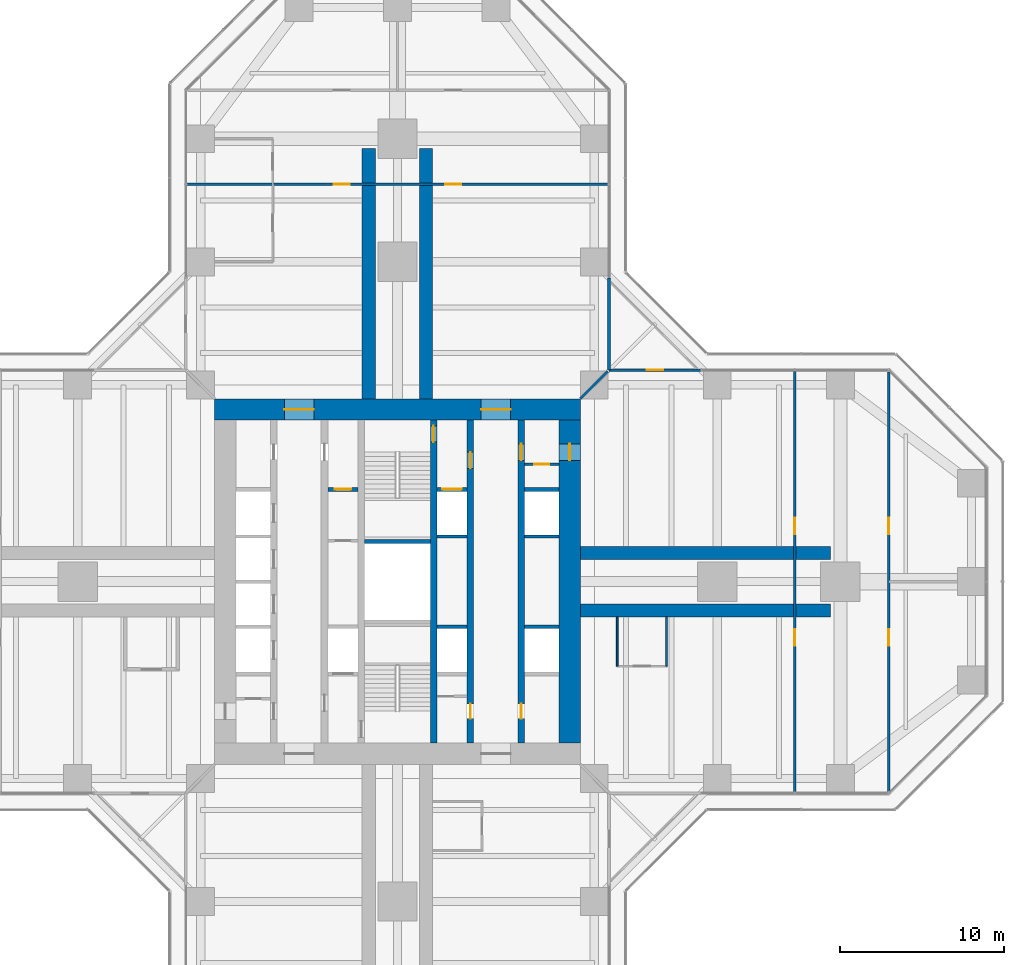
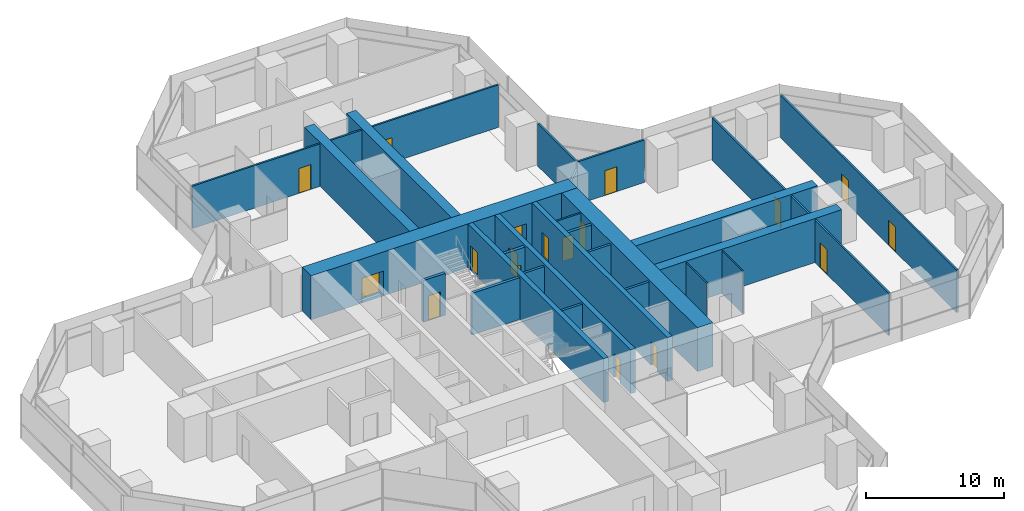
# One storey, part 19 of 22: 26 walls, 18 doors, 18 openings.
"""IFC4 building model written with IfcOpenShell, lengths in metres."""

from ifc_helpers import new_model, si_unit, direction, frame, frame_2d, origin, place, context, subcontext, project, spatial, rectangle, extrude, material, layer, layer_set, type_object, element, fill, save


model = new_model("IFC4")

# Units and contexts
model_context = context("Model", 3, precision=1e-05, world=origin(), true_north=direction((0.0, 1.0)))
body_context = subcontext(model_context, "Body", "Model", "MODEL_VIEW")
ifc_project = project(units=[si_unit("LENGTHUNIT", "METRE"), si_unit("AREAUNIT", "SQUARE_METRE"), si_unit("VOLUMEUNIT", "CUBIC_METRE"), si_unit("PLANEANGLEUNIT", "RADIAN"), si_unit("MASSUNIT", "GRAM", prefix="KILO")], contexts=[model_context])

# Site, building, storey
site_placement = place(None, origin())
site = spatial("IfcSite", under=ifc_project, at=site_placement, CompositionType="ELEMENT")
building_placement = place(site_placement, origin())
building = spatial("IfcBuilding", under=site, at=building_placement, Name="Mizan Broadcast Tower", CompositionType="ELEMENT")
storey_placement = place(building_placement, frame((0.0, 0.0, 102.0)))
storey = spatial("IfcBuildingStorey", under=building, at=storey_placement, Name="L22", CompositionType="ELEMENT", Elevation=102.0)

# Wall, openings, doors
ifc_material_1 = material(Name="Concrete C70/85", Category="concrete")
ifc_layer_1 = layer(ifc_material_1, 0.39990234375)
ifc_layer_set_1 = layer_set([ifc_layer_1], Name="Concrete C70/85")
wall_type_1 = type_object("IfcWallType", Name="CORE INTERNAL WALL 400", PredefinedType="SHEAR", material=ifc_layer_set_1)
wall_1_placement = place(storey_placement, frame((7.550048828125, 9.85009765625, 0.0), z_axis=(0.0, 0.0, 1.0), x_axis=(0.0, -1.0, 0.0)))
wall_1 = element("IfcWall", 1, at=wall_1_placement, inside=storey, type_object=wall_type_1, Name="Core wall CORE/XW1E", PredefinedType="SHEAR", context=body_context, shape_type="SweptSolid", body=[
    extrude(rectangle(XDim=19.7001953125, YDim=0.39990234375, at=frame_2d((9.85009765625, 0.0))), origin(), (0.0, 0.0, 1.0), 3.89990234375),
])
opening_1_placement = place(wall_1_placement, frame((1.449951171875, 0.0, 0.0)))
opening_1 = element("IfcOpeningElement", 2, at=opening_1_placement, cuts=wall_1, Name="Opening D10F", PredefinedType="OPENING", context=body_context, shape_type="SweptSolid", body=[
    extrude(rectangle(XDim=1.0, YDim=2.199951171875, at=frame_2d((0.5, 1.10009765625))), frame((0.0, 0.2099609375, 0.0), z_axis=(0.0, -1.0, 0.0), x_axis=(1.0, 0.0, 0.0)), (0.0, 0.0, 1.0), 0.419921875),
])
opening_2_placement = place(wall_1_placement, frame((17.300048828125, 0.0, 0.0)))
opening_2 = element("IfcOpeningElement", 3, at=opening_2_placement, cuts=wall_1, Name="Opening D09", PredefinedType="OPENING", context=body_context, shape_type="SweptSolid", body=[
    extrude(rectangle(XDim=0.89990234375, YDim=2.10009765625, at=frame_2d((0.449951171875, 1.050048828125))), frame((0.0, 0.2099609375, 0.0), z_axis=(0.0, -1.0, 0.0), x_axis=(1.0, 0.0, 0.0)), (0.0, 0.0, 1.0), 0.419921875),
])
ifc_material_2 = material(Name="Steel door leaf in steel frame", Category="steel")
door_type_1 = type_object("IfcDoorType", Name="FIRE DOOR 1000 FD90", OperationType="SINGLE_SWING_LEFT", PredefinedType="DOOR", material=ifc_material_2)
door_1_placement = place(opening_1_placement, origin())
door_1 = element("IfcDoor", 4, at=door_1_placement, inside=storey, type_object=door_type_1, Name="East core passage door", OperationType="SINGLE_SWING_LEFT", OverallHeight=2.199951171875, OverallWidth=1.0, PredefinedType="DOOR", context=body_context, shape_type="SweptSolid", body=[
    extrude(rectangle(XDim=1.0, YDim=2.199951171875, at=frame_2d((0.5, 1.10009765625))), frame((0.0, 0.02490234375, 0.0), z_axis=(0.0, -1.0, 0.0), x_axis=(1.0, 0.0, 0.0)), (0.0, 0.0, 1.0), 0.050048828125),
])
fill(opening_1, door_1)
ifc_material_3 = material(Name="Timber door leaf in aluminium frame", Category="wood")
door_type_2 = type_object("IfcDoorType", Name="TOILET DOOR 900", OperationType="SINGLE_SWING_LEFT", PredefinedType="DOOR", material=ifc_material_3)
door_2_placement = place(opening_2_placement, origin())
door_2 = element("IfcDoor", 5, at=door_2_placement, inside=storey, type_object=door_type_2, Name="Female WC door", OperationType="SINGLE_SWING_RIGHT", OverallHeight=2.10009765625, OverallWidth=0.89990234375, PredefinedType="DOOR", context=body_context, shape_type="SweptSolid", body=[
    extrude(rectangle(XDim=0.89990234375, YDim=2.10009765625, at=frame_2d((0.449951171875, 1.050048828125))), frame((0.0, 0.02490234375, 0.0), z_axis=(0.0, -1.0, 0.0), x_axis=(1.0, 0.0, 0.0)), (0.0, 0.0, 1.0), 0.050048828125),
])
fill(opening_2, door_2)

wall_2_placement = place(storey_placement, frame((4.449951171875, 9.85009765625, 0.0), z_axis=(0.0, 0.0, 1.0), x_axis=(0.0, -1.0, 0.0)))
wall_2 = element("IfcWall", 6, at=wall_2_placement, inside=storey, type_object=wall_type_1, Name="Core wall CORE/XWHE", PredefinedType="SHEAR", context=body_context, shape_type="SweptSolid", body=[
    extrude(rectangle(XDim=19.7001953125, YDim=0.39990234375, at=frame_2d((9.85009765625, 0.0))), origin(), (0.0, 0.0, 1.0), 3.89990234375),
])
opening_3_placement = place(wall_2_placement, frame((1.949951171875, 0.0, 0.0)))
opening_3 = element("IfcOpeningElement", 7, at=opening_3_placement, cuts=wall_2, Name="Opening D10F", PredefinedType="OPENING", context=body_context, shape_type="SweptSolid", body=[
    extrude(rectangle(XDim=1.0, YDim=2.199951171875, at=frame_2d((0.5, 1.10009765625))), frame((0.0, 0.2099609375, 0.0), z_axis=(0.0, -1.0, 0.0), x_axis=(1.0, 0.0, 0.0)), (0.0, 0.0, 1.0), 0.419921875),
])
opening_4_placement = place(wall_2_placement, frame((17.300048828125, 0.0, 0.0)))
opening_4 = element("IfcOpeningElement", 8, at=opening_4_placement, cuts=wall_2, Name="Opening D09", PredefinedType="OPENING", context=body_context, shape_type="SweptSolid", body=[
    extrude(rectangle(XDim=0.89990234375, YDim=2.10009765625, at=frame_2d((0.449951171875, 1.050048828125))), frame((0.0, 0.2099609375, 0.0), z_axis=(0.0, -1.0, 0.0), x_axis=(1.0, 0.0, 0.0)), (0.0, 0.0, 1.0), 0.419921875),
])
door_3_placement = place(opening_3_placement, origin())
door_3 = element("IfcDoor", 9, at=door_3_placement, inside=storey, type_object=door_type_1, Name="Firefighting lobby B door", OperationType="SINGLE_SWING_LEFT", OverallHeight=2.199951171875, OverallWidth=1.0, PredefinedType="DOOR", context=body_context, shape_type="SweptSolid", body=[
    extrude(rectangle(XDim=1.0, YDim=2.199951171875, at=frame_2d((0.5, 1.10009765625))), frame((0.0, 0.02490234375, 0.0), z_axis=(0.0, -1.0, 0.0), x_axis=(1.0, 0.0, 0.0)), (0.0, 0.0, 1.0), 0.050048828125),
])
fill(opening_3, door_3)
door_4_placement = place(opening_4_placement, origin())
door_4 = element("IfcDoor", 10, at=door_4_placement, inside=storey, type_object=door_type_2, Name="Cleaner's store door", OperationType="SINGLE_SWING_RIGHT", OverallHeight=2.10009765625, OverallWidth=0.89990234375, PredefinedType="DOOR", context=body_context, shape_type="SweptSolid", body=[
    extrude(rectangle(XDim=0.89990234375, YDim=2.10009765625, at=frame_2d((0.449951171875, 1.050048828125))), frame((0.0, 0.02490234375, 0.0), z_axis=(0.0, -1.0, 0.0), x_axis=(1.0, 0.0, 0.0)), (0.0, 0.0, 1.0), 0.050048828125),
])
fill(opening_4, door_4)

# Wall, opening, door
wall_3_placement = place(storey_placement, frame((2.199951171875, 9.85009765625, 0.0), z_axis=(0.0, 0.0, 1.0), x_axis=(0.0, -1.0, 0.0)))
wall_3 = element("IfcWall", 11, at=wall_3_placement, inside=storey, type_object=wall_type_1, Name="Core wall CORE/XW2E", PredefinedType="SHEAR", context=body_context, shape_type="SweptSolid", body=[
    extrude(rectangle(XDim=19.7001953125, YDim=0.39990234375, at=frame_2d((9.85009765625, 0.0))), origin(), (0.0, 0.0, 1.0), 3.89990234375),
])
opening_5_placement = place(wall_3_placement, frame((0.35009765625, 0.0, 0.0)))
opening_5 = element("IfcOpeningElement", 12, at=opening_5_placement, cuts=wall_3, Name="Opening D10S", PredefinedType="OPENING", context=body_context, shape_type="SweptSolid", body=[
    extrude(rectangle(XDim=1.0, YDim=2.199951171875, at=frame_2d((0.5, 1.10009765625))), frame((0.0, 0.2099609375, 0.0), z_axis=(0.0, -1.0, 0.0), x_axis=(1.0, 0.0, 0.0)), (0.0, 0.0, 1.0), 0.419921875),
])
ifc_material_4 = material(Name="Steel door leaf in steel frame", Category="steel")
door_type_3 = type_object("IfcDoorType", Name="STAIR DOOR 1000 FD90S", OperationType="SINGLE_SWING_RIGHT", PredefinedType="DOOR", material=ifc_material_4)
door_5_placement = place(opening_5_placement, origin())
door_5 = element("IfcDoor", 13, at=door_5_placement, inside=storey, type_object=door_type_3, Name="Stair B door", OperationType="SINGLE_SWING_RIGHT", OverallHeight=2.199951171875, OverallWidth=1.0, PredefinedType="DOOR", context=body_context, shape_type="SweptSolid", body=[
    extrude(rectangle(XDim=1.0, YDim=2.199951171875, at=frame_2d((0.5, 1.10009765625))), frame((0.0, 0.02490234375, 0.0), z_axis=(0.0, -1.0, 0.0), x_axis=(1.0, 0.0, 0.0)), (0.0, 0.0, 1.0), 0.050048828125),
])
fill(opening_5, door_5)

ifc_material_5 = material(Name="Concrete blockwork", Category="masonry")
ifc_layer_2 = layer(ifc_material_5, 0.14990234375)
ifc_layer_set_2 = layer_set([ifc_layer_2], Name="Concrete blockwork")
wall_type_2 = type_object("IfcWallType", Name="CORE PARTITION 150", PredefinedType="SOLIDWALL", material=ifc_layer_set_2)
wall_4_placement = place(storey_placement, frame((9.85009765625, 7.14990234375, 0.0), z_axis=(0.0, 0.0, 1.0), x_axis=(-1.0, 0.0, 0.0)))
wall_4 = element("IfcWall", 14, at=wall_4_placement, inside=storey, type_object=wall_type_2, Name="Core partition CORE/XPE", PredefinedType="SOLIDWALL", context=body_context, shape_type="SweptSolid", body=[
    extrude(rectangle(XDim=2.10009765625, YDim=0.14990234375, at=frame_2d((1.050048828125, 0.0))), origin(), (0.0, 0.0, 1.0), 3.77001953125),
])
opening_6_placement = place(wall_4_placement, frame((0.60009765625, 0.0, 0.0)))
opening_6 = element("IfcOpeningElement", 15, at=opening_6_placement, cuts=wall_4, Name="Opening D09F", PredefinedType="OPENING", context=body_context, shape_type="SweptSolid", body=[
    extrude(rectangle(XDim=0.89990234375, YDim=2.10009765625, at=frame_2d((0.449951171875, 1.050048828125))), frame((0.0, 0.0849609375, 0.0), z_axis=(0.0, -1.0, 0.0), x_axis=(1.0, 0.0, 0.0)), (0.0, 0.0, 1.0), 0.169921875),
])
ifc_material_6 = material(Name="Steel door leaf in steel frame", Category="steel")
door_type_4 = type_object("IfcDoorType", Name="CORE ROOM DOOR 900 FD90", OperationType="SINGLE_SWING_LEFT", PredefinedType="DOOR", material=ifc_material_6)
door_6_placement = place(opening_6_placement, origin())
door_6 = element("IfcDoor", 16, at=door_6_placement, inside=storey, type_object=door_type_4, Name="Electrical cupboard door", OperationType="SINGLE_SWING_RIGHT", OverallHeight=2.10009765625, OverallWidth=0.89990234375, PredefinedType="DOOR", context=body_context, shape_type="SweptSolid", body=[
    extrude(rectangle(XDim=0.89990234375, YDim=2.10009765625, at=frame_2d((0.449951171875, 1.050048828125))), frame((0.0, 0.02490234375, 0.0), z_axis=(0.0, -1.0, 0.0), x_axis=(1.0, 0.0, 0.0)), (0.0, 0.0, 1.0), 0.050048828125),
])
fill(opening_6, door_6)

# Wall, openings, doors
ifc_material_7 = material(Name="Concrete C70/85", Category="concrete")
ifc_layer_3 = layer(ifc_material_7, 1.300048828125)
ifc_layer_set_3 = layer_set([ifc_layer_3], Name="Concrete C70/85")
wall_type_3 = type_object("IfcWallType", Name="CORE WALL 1300", PredefinedType="SHEAR", material=ifc_layer_set_3)
wall_5_placement = place(storey_placement, frame((-11.14990234375, 10.5, 0.0), z_axis=(0.0, 0.0, 1.0), x_axis=(1.0, 0.0, 0.0)))
wall_5 = element("IfcWall", 17, at=wall_5_placement, inside=storey, type_object=wall_type_3, Name="Core wall N L22", PredefinedType="SHEAR", context=body_context, shape_type="SweptSolid", body=[
    extrude(rectangle(XDim=22.2998046875, YDim=1.300048828125, at=frame_2d((11.14990234375, 0.0))), origin(), (0.0, 0.0, 1.0), 3.89990234375),
])
opening_7_placement = place(wall_5_placement, frame((4.25, 0.0, 0.0)))
opening_7 = element("IfcOpeningElement", 18, at=opening_7_placement, cuts=wall_5, Name="Opening D18F", PredefinedType="OPENING", context=body_context, shape_type="SweptSolid", body=[
    extrude(rectangle(XDim=1.800048828125, YDim=2.199951171875, at=frame_2d((0.89990234375, 1.10009765625))), frame((0.0, 0.659912109375, 0.0), z_axis=(0.0, -1.0, 0.0), x_axis=(1.0, 0.0, 0.0)), (0.0, 0.0, 1.0), 1.320068359375),
])
opening_8_placement = place(wall_5_placement, frame((16.25, 0.0, 0.0)))
opening_8 = element("IfcOpeningElement", 19, at=opening_8_placement, cuts=wall_5, Name="Opening D18F", PredefinedType="OPENING", context=body_context, shape_type="SweptSolid", body=[
    extrude(rectangle(XDim=1.800048828125, YDim=2.199951171875, at=frame_2d((0.89990234375, 1.10009765625))), frame((0.0, 0.659912109375, 0.0), z_axis=(0.0, -1.0, 0.0), x_axis=(1.0, 0.0, 0.0)), (0.0, 0.0, 1.0), 1.320068359375),
])
ifc_material_8 = material(Name="Steel door leaf in steel frame", Category="steel")
door_type_5 = type_object("IfcDoorType", Name="LOBBY DOUBLE DOOR 1800 FD90", OperationType="DOUBLE_DOOR_DOUBLE_SWING", PredefinedType="DOOR", material=ifc_material_8)
door_7_placement = place(opening_7_placement, origin())
door_7 = element("IfcDoor", 20, at=door_7_placement, inside=storey, type_object=door_type_5, Name="West lift lobby north door", OperationType="DOUBLE_DOOR_DOUBLE_SWING", OverallHeight=2.199951171875, OverallWidth=1.800048828125, PredefinedType="DOOR", context=body_context, shape_type="SweptSolid", body=[
    extrude(rectangle(XDim=1.800048828125, YDim=2.199951171875, at=frame_2d((0.89990234375, 1.10009765625))), frame((0.0, 0.02490234375, 0.0), z_axis=(0.0, -1.0, 0.0), x_axis=(1.0, 0.0, 0.0)), (0.0, 0.0, 1.0), 0.050048828125),
])
fill(opening_7, door_7)
door_8_placement = place(opening_8_placement, origin())
door_8 = element("IfcDoor", 21, at=door_8_placement, inside=storey, type_object=door_type_5, Name="East lift lobby north door", OperationType="DOUBLE_DOOR_DOUBLE_SWING", OverallHeight=2.199951171875, OverallWidth=1.800048828125, PredefinedType="DOOR", context=body_context, shape_type="SweptSolid", body=[
    extrude(rectangle(XDim=1.800048828125, YDim=2.199951171875, at=frame_2d((0.89990234375, 1.10009765625))), frame((0.0, 0.02490234375, 0.0), z_axis=(0.0, -1.0, 0.0), x_axis=(1.0, 0.0, 0.0)), (0.0, 0.0, 1.0), 0.050048828125),
])
fill(opening_8, door_8)

# Wall, opening, door
wall_6_placement = place(storey_placement, frame((10.5, -9.85009765625, 0.0), z_axis=(0.0, 0.0, 1.0), x_axis=(0.0, 1.0, 0.0)))
wall_6 = element("IfcWall", 22, at=wall_6_placement, inside=storey, type_object=wall_type_3, Name="Core wall E L22", PredefinedType="SHEAR", context=body_context, shape_type="SweptSolid", body=[
    extrude(rectangle(XDim=19.7001953125, YDim=1.300048828125, at=frame_2d((9.85009765625, 0.0))), origin(), (0.0, 0.0, 1.0), 3.89990234375),
])
opening_9_placement = place(wall_6_placement, frame((17.25, 0.0, 0.0)))
opening_9 = element("IfcOpeningElement", 23, at=opening_9_placement, cuts=wall_6, Name="Opening D10F", PredefinedType="OPENING", context=body_context, shape_type="SweptSolid", body=[
    extrude(rectangle(XDim=1.0, YDim=2.199951171875, at=frame_2d((0.5, 1.10009765625))), frame((0.0, 0.659912109375, 0.0), z_axis=(0.0, -1.0, 0.0), x_axis=(1.0, 0.0, 0.0)), (0.0, 0.0, 1.0), 1.320068359375),
])
door_9_placement = place(opening_9_placement, origin())
door_9 = element("IfcDoor", 24, at=door_9_placement, inside=storey, type_object=door_type_1, Name="East core passage arm door", OperationType="SINGLE_SWING_RIGHT", OverallHeight=2.199951171875, OverallWidth=1.0, PredefinedType="DOOR", context=body_context, shape_type="SweptSolid", body=[
    extrude(rectangle(XDim=1.0, YDim=2.199951171875, at=frame_2d((0.5, 1.10009765625))), frame((0.0, 0.02490234375, 0.0), z_axis=(0.0, -1.0, 0.0), x_axis=(1.0, 0.0, 0.0)), (0.0, 0.0, 1.0), 0.050048828125),
])
fill(opening_9, door_9)

ifc_material_9 = material(Name="Aluminium framed glazed screen", Category="aluminium")
ifc_layer_4 = layer(ifc_material_9, 0.159912109375)
ifc_layer_set_4 = layer_set([ifc_layer_4], Name="Aluminium framed glazed screen")
wall_type_4 = type_object("IfcWallType", Name="GLAZED SCREEN WALL 160", PredefinedType="SOLIDWALL", material=ifc_layer_set_4)
wall_7_placement = place(storey_placement, frame((18.5, 12.89990234375, 0.0), z_axis=(0.0, 0.0, 1.0), x_axis=(-1.0, 0.0, 0.0)))
wall_7 = element("IfcWall", 25, at=wall_7_placement, inside=storey, type_object=wall_type_4, Name="Winter garden screen L22 E", PredefinedType="SOLIDWALL", context=body_context, shape_type="SweptSolid", body=[
    extrude(rectangle(XDim=5.60009765625, YDim=0.159912109375, at=frame_2d((2.800048828125, 0.0))), origin(), (0.0, 0.0, 1.0), 3.77001953125),
])
opening_10_placement = place(wall_7_placement, frame((2.300048828125, 0.0, 0.0)))
opening_10 = element("IfcOpeningElement", 26, at=opening_10_placement, cuts=wall_7, Name="Opening WGD", PredefinedType="OPENING", context=body_context, shape_type="SweptSolid", body=[
    extrude(rectangle(XDim=1.0, YDim=2.199951171875, at=frame_2d((0.5, 1.10009765625))), frame((0.0, 0.08984375, 0.0), z_axis=(0.0, -1.0, 0.0), x_axis=(1.0, 0.0, 0.0)), (0.0, 0.0, 1.0), 0.179931640625),
])
ifc_material_10 = material(Name="Aluminium framed glazed door", Category="aluminium")
door_type_6 = type_object("IfcDoorType", Name="WINTER GARDEN DOOR 1000 GLAZED", OperationType="SINGLE_SWING_LEFT", PredefinedType="DOOR", material=ifc_material_10)
door_10_placement = place(opening_10_placement, origin())
door_10 = element("IfcDoor", 27, at=door_10_placement, inside=storey, type_object=door_type_6, Name="Winter garden door L22 E", OperationType="SINGLE_SWING_RIGHT", OverallHeight=2.199951171875, OverallWidth=1.0, PredefinedType="DOOR", context=body_context, shape_type="SweptSolid", body=[
    extrude(rectangle(XDim=1.0, YDim=2.199951171875, at=frame_2d((0.5, 1.10009765625))), frame((0.0, 0.02490234375, 0.0), z_axis=(0.0, -1.0, 0.0), x_axis=(1.0, 0.0, 0.0)), (0.0, 0.0, 1.0), 0.050048828125),
])
fill(opening_10, door_10)

# Walls
wall_8_placement = place(storey_placement, frame((12.89990234375, 12.89990234375, 0.0), z_axis=(0.0, 0.0, 1.0), x_axis=(0.0, 1.0, 0.0)))
element("IfcWall", 28, at=wall_8_placement, inside=storey, type_object=wall_type_4, Name="Winter garden screen L22 N", PredefinedType="SOLIDWALL", context=body_context, shape_type="SweptSolid", body=[
    extrude(rectangle(XDim=5.60009765625, YDim=0.159912109375, at=frame_2d((2.800048828125, 0.0))), origin(), (0.0, 0.0, 1.0), 3.77001953125),
])
ifc_material_11 = material(Name="Concrete blockwork", Category="masonry")
ifc_layer_5 = layer(ifc_material_11, 0.199951171875)
ifc_layer_set_5 = layer_set([ifc_layer_5], Name="Concrete blockwork")
wall_type_5 = type_object("IfcWallType", Name="LIFT SHAFT WALL 200", PredefinedType="SOLIDWALL", material=ifc_layer_set_5)
wall_9_placement = place(storey_placement, frame((2.39990234375, -2.75, 0.0), z_axis=(0.0, 0.0, 1.0), x_axis=(1.0, 0.0, 0.0)))
element("IfcWall", 29, at=wall_9_placement, inside=storey, type_object=wall_type_5, Name="Lift shaft wall CORE/SE2-1", PredefinedType="SOLIDWALL", context=body_context, shape_type="SweptSolid", body=[
    extrude(rectangle(XDim=1.85009765625, YDim=0.199951171875, at=frame_2d((0.925048828125, 0.0))), origin(), (0.0, 0.0, 1.0), 3.699951171875),
])
wall_10_placement = place(storey_placement, frame((7.75, -2.75, 0.0), z_axis=(0.0, 0.0, 1.0), x_axis=(1.0, 0.0, 0.0)))
element("IfcWall", 30, at=wall_10_placement, inside=storey, type_object=wall_type_5, Name="Lift shaft wall CORE/SE1-1", PredefinedType="SOLIDWALL", context=body_context, shape_type="SweptSolid", body=[
    extrude(rectangle(XDim=2.10009765625, YDim=0.199951171875, at=frame_2d((1.050048828125, 0.0))), origin(), (0.0, 0.0, 1.0), 3.699951171875),
])
wall_11_placement = place(storey_placement, frame((2.39990234375, 2.75, 0.0), z_axis=(0.0, 0.0, 1.0), x_axis=(1.0, 0.0, 0.0)))
element("IfcWall", 31, at=wall_11_placement, inside=storey, type_object=wall_type_5, Name="Lift shaft wall CORE/SE2-3", PredefinedType="SOLIDWALL", context=body_context, shape_type="SweptSolid", body=[
    extrude(rectangle(XDim=1.85009765625, YDim=0.199951171875, at=frame_2d((0.925048828125, 0.0))), origin(), (0.0, 0.0, 1.0), 3.699951171875),
])
wall_12_placement = place(storey_placement, frame((7.75, 2.75, 0.0), z_axis=(0.0, 0.0, 1.0), x_axis=(1.0, 0.0, 0.0)))
element("IfcWall", 32, at=wall_12_placement, inside=storey, type_object=wall_type_5, Name="Lift shaft wall CORE/SE1-3", PredefinedType="SOLIDWALL", context=body_context, shape_type="SweptSolid", body=[
    extrude(rectangle(XDim=2.10009765625, YDim=0.199951171875, at=frame_2d((1.050048828125, 0.0))), origin(), (0.0, 0.0, 1.0), 3.699951171875),
])

# Wall, opening, door
ifc_material_12 = material(Name="Concrete blockwork", Category="masonry")
ifc_layer_6 = layer(ifc_material_12, 0.25)
ifc_layer_set_6 = layer_set([ifc_layer_6], Name="Concrete blockwork")
wall_type_6 = type_object("IfcWallType", Name="LOBBY ENCLOSURE WALL 250", PredefinedType="SOLIDWALL", material=ifc_layer_set_6)
wall_13_placement = place(storey_placement, frame((-4.25, 5.625, 0.0), z_axis=(0.0, 0.0, 1.0), x_axis=(1.0, 0.0, 0.0)))
wall_13 = element("IfcWall", 33, at=wall_13_placement, inside=storey, type_object=wall_type_6, Name="Lobby enclosure wall CORE/BW2N", PredefinedType="SOLIDWALL", context=body_context, shape_type="SweptSolid", body=[
    extrude(rectangle(XDim=1.85009765625, YDim=0.25, at=frame_2d((0.925048828125, 0.0))), origin(), (0.0, 0.0, 1.0), 3.699951171875),
])
opening_11_placement = place(wall_13_placement, frame((0.425048828125, 0.0, 0.0)))
opening_11 = element("IfcOpeningElement", 34, at=opening_11_placement, cuts=wall_13, Name="Opening D10F", PredefinedType="OPENING", context=body_context, shape_type="SweptSolid", body=[
    extrude(rectangle(XDim=1.0, YDim=2.199951171875, at=frame_2d((0.5, 1.10009765625))), frame((0.0, 0.135009765625, 0.0), z_axis=(0.0, -1.0, 0.0), x_axis=(1.0, 0.0, 0.0)), (0.0, 0.0, 1.0), 0.27001953125),
])
door_11_placement = place(opening_11_placement, origin())
door_11 = element("IfcDoor", 35, at=door_11_placement, inside=storey, type_object=door_type_1, Name="Baby change room door", OperationType="SINGLE_SWING_RIGHT", OverallHeight=2.199951171875, OverallWidth=1.0, PredefinedType="DOOR", context=body_context, shape_type="SweptSolid", body=[
    extrude(rectangle(XDim=1.0, YDim=2.199951171875, at=frame_2d((0.5, 1.10009765625))), frame((0.0, 0.02490234375, 0.0), z_axis=(0.0, -1.0, 0.0), x_axis=(1.0, 0.0, 0.0)), (0.0, 0.0, 1.0), 0.050048828125),
])
fill(opening_11, door_11)

wall_14_placement = place(storey_placement, frame((2.39990234375, 5.625, 0.0), z_axis=(0.0, 0.0, 1.0), x_axis=(1.0, 0.0, 0.0)))
wall_14 = element("IfcWall", 36, at=wall_14_placement, inside=storey, type_object=wall_type_6, Name="Lobby enclosure wall CORE/BE2N", PredefinedType="SOLIDWALL", context=body_context, shape_type="SweptSolid", body=[
    extrude(rectangle(XDim=1.85009765625, YDim=0.25, at=frame_2d((0.925048828125, 0.0))), origin(), (0.0, 0.0, 1.0), 3.699951171875),
])
opening_12_placement = place(wall_14_placement, frame((0.324951171875, 0.0, 0.0)))
opening_12 = element("IfcOpeningElement", 37, at=opening_12_placement, cuts=wall_14, Name="Opening LDF", PredefinedType="OPENING", context=body_context, shape_type="SweptSolid", body=[
    extrude(rectangle(XDim=1.199951171875, YDim=2.199951171875, at=frame_2d((0.60009765625, 1.10009765625))), frame((0.0, 0.135009765625, 0.0), z_axis=(0.0, -1.0, 0.0), x_axis=(1.0, 0.0, 0.0)), (0.0, 0.0, 1.0), 0.27001953125),
])
ifc_material_13 = material(Name="Steel door leaf in steel frame", Category="steel")
door_type_7 = type_object("IfcDoorType", Name="FIREFIGHTING LIFT LANDING DOOR 1200", OperationType="SLIDING_TO_LEFT", PredefinedType="DOOR", material=ifc_material_13)
door_12_placement = place(opening_12_placement, origin())
door_12 = element("IfcDoor", 38, at=door_12_placement, inside=storey, type_object=door_type_7, Name="Landing door FF2", OperationType="SLIDING_TO_LEFT", OverallHeight=2.199951171875, OverallWidth=1.199951171875, PredefinedType="DOOR", context=body_context, shape_type="SweptSolid", body=[
    extrude(rectangle(XDim=1.199951171875, YDim=2.199951171875, at=frame_2d((0.60009765625, 1.10009765625))), frame((0.0, 0.02490234375, 0.0), z_axis=(0.0, -1.0, 0.0), x_axis=(1.0, 0.0, 0.0)), (0.0, 0.0, 1.0), 0.050048828125),
])
fill(opening_12, door_12)

# Walls
wall_15_placement = place(storey_placement, frame((7.75, 5.625, 0.0), z_axis=(0.0, 0.0, 1.0), x_axis=(1.0, 0.0, 0.0)))
element("IfcWall", 39, at=wall_15_placement, inside=storey, type_object=wall_type_6, Name="Lobby enclosure wall CORE/BE1N", PredefinedType="SOLIDWALL", context=body_context, shape_type="SweptSolid", body=[
    extrude(rectangle(XDim=2.10009765625, YDim=0.25, at=frame_2d((1.050048828125, 0.0))), origin(), (0.0, 0.0, 1.0), 3.699951171875),
])
wall_16_placement = place(storey_placement, frame((-2.0, 2.449951171875, 0.0), z_axis=(0.0, 0.0, 1.0), x_axis=(1.0, 0.0, 0.0)))
element("IfcWall", 40, at=wall_16_placement, inside=storey, type_object=wall_type_6, Name="Lobby enclosure wall CORE/STB", PredefinedType="SOLIDWALL", context=body_context, shape_type="SweptSolid", body=[
    extrude(rectangle(XDim=4.0, YDim=0.25, at=frame_2d((2.0, 0.0))), origin(), (0.0, 0.0, 1.0), 3.699951171875),
])

# Wall, openings, doors
ifc_material_14 = material(Name="Gypsum board on steel studs", Category="steel")
ifc_layer_7 = layer(ifc_material_14, 0.14990234375)
ifc_layer_set_7 = layer_set([ifc_layer_7], Name="Gypsum board on steel studs")
wall_type_7 = type_object("IfcWallType", Name="PARTITION 150", PredefinedType="PARTITIONING", material=ifc_layer_set_7)
wall_17_placement = place(storey_placement, frame((24.22900390625, -12.820068359375, 0.0), z_axis=(0.0, 0.0, 1.0), x_axis=(0.0, 1.0, 0.0)))
wall_17 = element("IfcWall", 41, at=wall_17_placement, inside=storey, type_object=wall_type_7, Name="Partition PT/EX1", PredefinedType="PARTITIONING", context=body_context, shape_type="SweptSolid", body=[
    extrude(rectangle(XDim=25.64013671875, YDim=0.14990234375, at=frame_2d((12.820068359375, 0.0))), origin(), (0.0, 0.0, 1.0), 3.77001953125),
])
opening_13_placement = place(wall_17_placement, frame((15.719970703125, 0.0, 0.0)))
opening_13 = element("IfcOpeningElement", 42, at=opening_13_placement, cuts=wall_17, Name="Opening D10", PredefinedType="OPENING", context=body_context, shape_type="SweptSolid", body=[
    extrude(rectangle(XDim=1.0, YDim=2.199951171875, at=frame_2d((0.5, 1.10009765625))), frame((0.0, 0.0849609375, 0.0), z_axis=(0.0, -1.0, 0.0), x_axis=(1.0, 0.0, 0.0)), (0.0, 0.0, 1.0), 0.169921875),
])
opening_14_placement = place(wall_17_placement, frame((8.919921875, 0.0, 0.0)))
opening_14 = element("IfcOpeningElement", 43, at=opening_14_placement, cuts=wall_17, Name="Opening D10", PredefinedType="OPENING", context=body_context, shape_type="SweptSolid", body=[
    extrude(rectangle(XDim=1.0, YDim=2.199951171875, at=frame_2d((0.5, 1.10009765625))), frame((0.0, 0.0849609375, 0.0), z_axis=(0.0, -1.0, 0.0), x_axis=(1.0, 0.0, 0.0)), (0.0, 0.0, 1.0), 0.169921875),
])
ifc_material_15 = material(Name="Timber door leaf in aluminium frame", Category="wood")
door_type_8 = type_object("IfcDoorType", Name="ROOM DOOR 1000", OperationType="SINGLE_SWING_LEFT", PredefinedType="DOOR", material=ifc_material_15)
door_13_placement = place(opening_13_placement, origin())
door_13 = element("IfcDoor", 44, at=door_13_placement, inside=storey, type_object=door_type_8, Name="Training room door", OperationType="SINGLE_SWING_RIGHT", OverallHeight=2.199951171875, OverallWidth=1.0, PredefinedType="DOOR", context=body_context, shape_type="SweptSolid", body=[
    extrude(rectangle(XDim=1.0, YDim=2.199951171875, at=frame_2d((0.5, 1.10009765625))), frame((0.0, 0.02490234375, 0.0), z_axis=(0.0, -1.0, 0.0), x_axis=(1.0, 0.0, 0.0)), (0.0, 0.0, 1.0), 0.050048828125),
])
fill(opening_13, door_13)
door_14_placement = place(opening_14_placement, origin())
door_14 = element("IfcDoor", 45, at=door_14_placement, inside=storey, type_object=door_type_8, Name="Training room door", OperationType="SINGLE_SWING_LEFT", OverallHeight=2.199951171875, OverallWidth=1.0, PredefinedType="DOOR", context=body_context, shape_type="SweptSolid", body=[
    extrude(rectangle(XDim=1.0, YDim=2.199951171875, at=frame_2d((0.5, 1.10009765625))), frame((0.0, 0.02490234375, 0.0), z_axis=(0.0, -1.0, 0.0), x_axis=(1.0, 0.0, 0.0)), (0.0, 0.0, 1.0), 0.050048828125),
])
fill(opening_14, door_14)

wall_18_placement = place(storey_placement, frame((29.958984375, -12.786376953125, 0.0), z_axis=(0.0, 0.0, 1.0), x_axis=(0.0, 1.0, 0.0)))
wall_18 = element("IfcWall", 46, at=wall_18_placement, inside=storey, type_object=wall_type_7, Name="Partition PT/EX2", PredefinedType="PARTITIONING", context=body_context, shape_type="SweptSolid", body=[
    extrude(rectangle(XDim=25.57275390625, YDim=0.14990234375, at=frame_2d((12.786376953125, 0.0))), origin(), (0.0, 0.0, 1.0), 3.77001953125),
])
opening_15_placement = place(wall_18_placement, frame((15.6865234375, 0.0, 0.0)))
opening_15 = element("IfcOpeningElement", 47, at=opening_15_placement, cuts=wall_18, Name="Opening D10", PredefinedType="OPENING", context=body_context, shape_type="SweptSolid", body=[
    extrude(rectangle(XDim=1.0, YDim=2.199951171875, at=frame_2d((0.5, 1.10009765625))), frame((0.0, 0.0849609375, 0.0), z_axis=(0.0, -1.0, 0.0), x_axis=(1.0, 0.0, 0.0)), (0.0, 0.0, 1.0), 0.169921875),
])
opening_16_placement = place(wall_18_placement, frame((8.886474609375, 0.0, 0.0)))
opening_16 = element("IfcOpeningElement", 48, at=opening_16_placement, cuts=wall_18, Name="Opening D10", PredefinedType="OPENING", context=body_context, shape_type="SweptSolid", body=[
    extrude(rectangle(XDim=1.0, YDim=2.199951171875, at=frame_2d((0.5, 1.10009765625))), frame((0.0, 0.0849609375, 0.0), z_axis=(0.0, -1.0, 0.0), x_axis=(1.0, 0.0, 0.0)), (0.0, 0.0, 1.0), 0.169921875),
])
door_15_placement = place(opening_15_placement, origin())
door_15 = element("IfcDoor", 49, at=door_15_placement, inside=storey, type_object=door_type_8, Name="Open office door", OperationType="SINGLE_SWING_RIGHT", OverallHeight=2.199951171875, OverallWidth=1.0, PredefinedType="DOOR", context=body_context, shape_type="SweptSolid", body=[
    extrude(rectangle(XDim=1.0, YDim=2.199951171875, at=frame_2d((0.5, 1.10009765625))), frame((0.0, 0.02490234375, 0.0), z_axis=(0.0, -1.0, 0.0), x_axis=(1.0, 0.0, 0.0)), (0.0, 0.0, 1.0), 0.050048828125),
])
fill(opening_15, door_15)
door_16_placement = place(opening_16_placement, origin())
door_16 = element("IfcDoor", 50, at=door_16_placement, inside=storey, type_object=door_type_8, Name="Open office door", OperationType="SINGLE_SWING_LEFT", OverallHeight=2.199951171875, OverallWidth=1.0, PredefinedType="DOOR", context=body_context, shape_type="SweptSolid", body=[
    extrude(rectangle(XDim=1.0, YDim=2.199951171875, at=frame_2d((0.5, 1.10009765625))), frame((0.0, 0.02490234375, 0.0), z_axis=(0.0, -1.0, 0.0), x_axis=(1.0, 0.0, 0.0)), (0.0, 0.0, 1.0), 0.050048828125),
])
fill(opening_16, door_16)

wall_19_placement = place(storey_placement, frame((12.820068359375, 24.22900390625, 0.0), z_axis=(0.0, 0.0, 1.0), x_axis=(-1.0, 0.0, 0.0)))
wall_19 = element("IfcWall", 51, at=wall_19_placement, inside=storey, type_object=wall_type_7, Name="Partition PT/NX1", PredefinedType="PARTITIONING", context=body_context, shape_type="SweptSolid", body=[
    extrude(rectangle(XDim=25.64013671875, YDim=0.14990234375, at=frame_2d((12.820068359375, 0.0))), origin(), (0.0, 0.0, 1.0), 3.77001953125),
])
opening_17_placement = place(wall_19_placement, frame((15.719970703125, 0.0, 0.0)))
opening_17 = element("IfcOpeningElement", 52, at=opening_17_placement, cuts=wall_19, Name="Opening D10", PredefinedType="OPENING", context=body_context, shape_type="SweptSolid", body=[
    extrude(rectangle(XDim=1.0, YDim=2.199951171875, at=frame_2d((0.5, 1.10009765625))), frame((0.0, 0.0849609375, 0.0), z_axis=(0.0, -1.0, 0.0), x_axis=(1.0, 0.0, 0.0)), (0.0, 0.0, 1.0), 0.169921875),
])
opening_18_placement = place(wall_19_placement, frame((8.919921875, 0.0, 0.0)))
opening_18 = element("IfcOpeningElement", 53, at=opening_18_placement, cuts=wall_19, Name="Opening D10", PredefinedType="OPENING", context=body_context, shape_type="SweptSolid", body=[
    extrude(rectangle(XDim=1.0, YDim=2.199951171875, at=frame_2d((0.5, 1.10009765625))), frame((0.0, 0.0849609375, 0.0), z_axis=(0.0, -1.0, 0.0), x_axis=(1.0, 0.0, 0.0)), (0.0, 0.0, 1.0), 0.169921875),
])
door_17_placement = place(opening_17_placement, origin())
door_17 = element("IfcDoor", 54, at=door_17_placement, inside=storey, type_object=door_type_8, Name="Open office door", OperationType="SINGLE_SWING_RIGHT", OverallHeight=2.199951171875, OverallWidth=1.0, PredefinedType="DOOR", context=body_context, shape_type="SweptSolid", body=[
    extrude(rectangle(XDim=1.0, YDim=2.199951171875, at=frame_2d((0.5, 1.10009765625))), frame((0.0, 0.02490234375, 0.0), z_axis=(0.0, -1.0, 0.0), x_axis=(1.0, 0.0, 0.0)), (0.0, 0.0, 1.0), 0.050048828125),
])
fill(opening_17, door_17)
door_18_placement = place(opening_18_placement, origin())
door_18 = element("IfcDoor", 55, at=door_18_placement, inside=storey, type_object=door_type_8, Name="Open office door", OperationType="SINGLE_SWING_LEFT", OverallHeight=2.199951171875, OverallWidth=1.0, PredefinedType="DOOR", context=body_context, shape_type="SweptSolid", body=[
    extrude(rectangle(XDim=1.0, YDim=2.199951171875, at=frame_2d((0.5, 1.10009765625))), frame((0.0, 0.02490234375, 0.0), z_axis=(0.0, -1.0, 0.0), x_axis=(1.0, 0.0, 0.0)), (0.0, 0.0, 1.0), 0.050048828125),
])
fill(opening_18, door_18)

# Walls
wall_20_placement = place(storey_placement, frame((11.14990234375, 11.14990234375, 0.0), z_axis=(0.0, 0.0, 1.0), x_axis=(0.707106781187, 0.707106781187, 0.0)))
element("IfcWall", 56, at=wall_20_placement, inside=storey, type_object=wall_type_7, Name="Partition PT/DGEN", PredefinedType="PARTITIONING", context=body_context, shape_type="SweptSolid", body=[
    extrude(rectangle(XDim=2.362060546875, YDim=0.14990234375, at=frame_2d((1.18115234375, 0.0))), origin(), (0.0, 0.0, 1.0), 3.219970703125),
])
ifc_material_16 = material(Name="Glazed aluminium partition on aluminium track", Category="aluminium")
ifc_layer_8 = layer(ifc_material_16, 0.10009765625)
ifc_layer_set_8 = layer_set([ifc_layer_8], Name="Glazed aluminium partition on aluminium track")
wall_type_8 = type_object("IfcWallType", Name="PARTITION GLAZED OFFICE FRONT 100", PredefinedType="PARTITIONING", material=ifc_layer_set_8)
for number, where, z_axis, x_axis, name in (
    (57, (13.39990234375, -2.14990234375, 0.0), (0.0, 0.0, 1.0), (0.0, -1.0, 0.0), "Glazed office front PT/EKN0a"),
    (58, (16.39990234375, -2.14990234375, 0.0), (0.0, 0.0, 1.0), (0.0, -1.0, 0.0), "Glazed office front PT/EKN0b"),
):
    element("IfcWall", number, at=place(storey_placement, frame(where, z_axis=z_axis, x_axis=x_axis)), inside=storey, type_object=wall_type_8, Name=name, PredefinedType="PARTITIONING", context=body_context, shape_type="SweptSolid", body=[
        extrude(rectangle(XDim=3.0, YDim=0.10009765625, at=frame_2d((1.5, 0.0))), origin(), (0.0, 0.0, 1.0), 3.77001953125),
    ])
ifc_material_17 = material(Name="Concrete C70/85", Category="concrete")
ifc_layer_9 = layer(ifc_material_17, 0.800048828125)
ifc_layer_set_9 = layer_set([ifc_layer_9], Name="Concrete C70/85")
wall_type_9 = type_object("IfcWallType", Name="SPINE WALL 800", PredefinedType="SHEAR", material=ifc_layer_set_9)
for number, where, z_axis, x_axis, name in (
    (59, (11.14990234375, -1.75, 0.0), (0.0, 0.0, 1.0), (1.0, 0.0, 0.0), "Spine wall ER L22"),
    (60, (11.14990234375, 1.75, 0.0), (0.0, 0.0, 1.0), (1.0, 0.0, 0.0), "Spine wall EL L22"),
    (61, (1.75, 11.14990234375, 0.0), (0.0, 0.0, 1.0), (0.0, 1.0, 0.0), "Spine wall NR L22"),
    (62, (-1.75, 11.14990234375, 0.0), (0.0, 0.0, 1.0), (0.0, 1.0, 0.0), "Spine wall NL L22"),
):
    element("IfcWall", number, at=place(storey_placement, frame(where, z_axis=z_axis, x_axis=x_axis)), inside=storey, type_object=wall_type_9, Name=name, PredefinedType="SHEAR", context=body_context, shape_type="SweptSolid", body=[
        extrude(rectangle(XDim=15.25, YDim=0.800048828125, at=frame_2d((7.625, 0.0))), origin(), (0.0, 0.0, 1.0), 3.89990234375),
    ])

save(model, "model.ifc")
